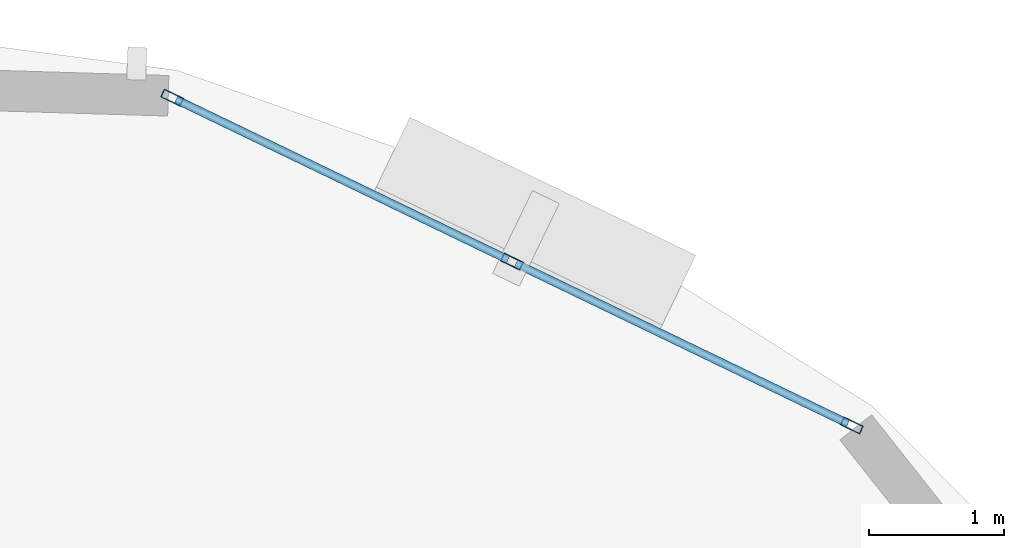
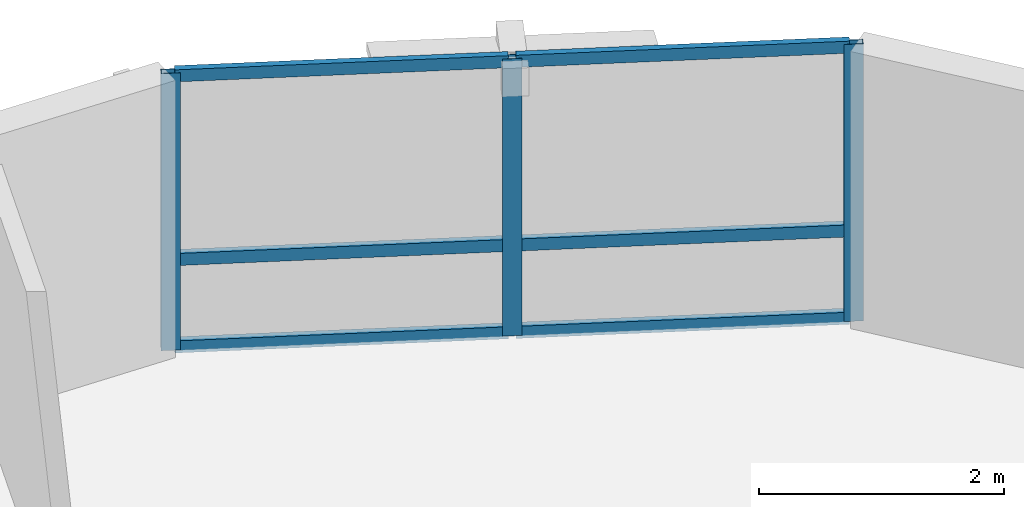
# One storey, part 5 of 11: 9 members, 1 element without a shape of its own.
"""IFC4 building model written with IfcOpenShell, lengths in metres."""

from ifc_helpers import new_model, si_unit, direction, frame, origin, origin_2d, place, context, subcontext, project, spatial, hollow_rectangle, extrude, material, layer, layer_set, material_profile, profile_set, type_object, element, aggregate, save


model = new_model("IFC4")

# Units and contexts
model_context = context("Model", 3, precision=1e-05, world=origin(), true_north=direction((0.0, 1.0)))
body_context = subcontext(model_context, "Body", "Model", "MODEL_VIEW")
ifc_project = project(units=[si_unit("LENGTHUNIT", "METRE"), si_unit("AREAUNIT", "SQUARE_METRE"), si_unit("VOLUMEUNIT", "CUBIC_METRE"), si_unit("PLANEANGLEUNIT", "RADIAN"), si_unit("MASSUNIT", "GRAM", prefix="KILO"), si_unit("THERMODYNAMICTEMPERATUREUNIT", "KELVIN"), si_unit("POWERUNIT", "WATT")], contexts=[model_context])

# Site, building, storey
site_placement = place(None, origin())
site = spatial("IfcSite", under=ifc_project, at=site_placement, CompositionType="ELEMENT")
building_placement = place(site_placement, origin())
building = spatial("IfcBuilding", under=site, at=building_placement, Name="Ocrelia Relay Tower", CompositionType="ELEMENT")
storey_placement = place(building_placement, frame((0.0, 0.0, 244.800048828125)))
storey = spatial("IfcBuildingStorey", under=building, at=storey_placement, Name="L60", CompositionType="ELEMENT", Elevation=244.800048828125)

# Curtain wall, members
ifc_material_1 = material(Name="Aluminium and solar-control low-E glass", Category="aluminium")
ifc_layer = layer(ifc_material_1, 0.179931640625, Name="Aluminium and solar-control low-E glass")
ifc_layer_set = layer_set([ifc_layer], Name="Aluminium and solar-control low-E glass")
curtain_wall_type = type_object("IfcCurtainWallType", Name="CW-SYS-Z4-EXEC", PredefinedType="NOTDEFINED", material=ifc_layer_set)
curtain_wall_placement = place(storey_placement, origin())
curtain_wall = element("IfcCurtainWall", 1, at=curtain_wall_placement, inside=storey, type_object=curtain_wall_type, Name="L60 Elliptical Tower Curtain Wall Bay 01", PredefinedType="NOTDEFINED")
ifc_material_2 = material(Name="Anodised bronze aluminium", Category="aluminium")
ifc_material_profile_1 = material_profile(ifc_material_2, hollow_rectangle(XDim=0.06494140625, YDim=0.159912109375, WallThickness=0.0048828125, at=origin_2d()), Name="CW-MUL-160x65")
ifc_profile_set_1 = profile_set([ifc_material_profile_1], Name="Anodised bronze aluminium")
member_type_1 = type_object("IfcMemberType", Name="CW-SYS-Z4-EXEC-MUL", PredefinedType="MULLION", material=ifc_profile_set_1)
member_1_placement = place(storey_placement, frame((47.100830078125, 42.403076171875, 0.0), z_axis=(0.0, 0.0, 1.0), x_axis=(-0.434418421029, -0.90071118316, 0.0)))
member_1 = element("IfcMember", 2, at=member_1_placement, type_object=member_type_1, Name="CW-Z4 mullion 1", PredefinedType="MULLION", context=body_context, shape_type="SweptSolid", body=[
    extrude(hollow_rectangle(XDim=0.06494140625, YDim=0.159912109375, WallThickness=0.0048828125, at=origin_2d()), origin(), (0.0, 0.0, 1.0), 2.760009765625),
])
member_2_placement = place(storey_placement, frame((44.58544921875, 43.6162109375, 0.0), z_axis=(0.0, 0.0, 1.0), x_axis=(-0.434418421029, -0.90071118316, 0.0)))
member_2 = element("IfcMember", 3, at=member_2_placement, type_object=member_type_1, Name="CW-Z4 mullion 2", PredefinedType="MULLION", context=body_context, shape_type="SweptSolid", body=[
    extrude(hollow_rectangle(XDim=0.06494140625, YDim=0.159912109375, WallThickness=0.0048828125, at=origin_2d()), origin(), (0.0, 0.0, 1.0), 2.760009765625),
])
member_3_placement = place(storey_placement, frame((42.070068359375, 44.82958984375, 0.0), z_axis=(0.0, 0.0, 1.0), x_axis=(-0.434418421029, -0.90071118316, 0.0)))
member_3 = element("IfcMember", 4, at=member_3_placement, type_object=member_type_1, Name="CW-Z4 mullion 3", PredefinedType="MULLION", context=body_context, shape_type="SweptSolid", body=[
    extrude(hollow_rectangle(XDim=0.06494140625, YDim=0.159912109375, WallThickness=0.0048828125, at=origin_2d()), origin(), (0.0, 0.0, 1.0), 2.760009765625),
])
ifc_material_profile_2 = material_profile(ifc_material_2, hollow_rectangle(XDim=0.06005859375, YDim=0.1201171875, WallThickness=0.0048828125, at=origin_2d()), Name="CW-TRN-120x60")
ifc_profile_set_2 = profile_set([ifc_material_profile_2], Name="Anodised bronze aluminium")
member_type_2 = type_object("IfcMemberType", Name="CW-SYS-Z4-EXEC-TRN", PredefinedType="USERDEFINED", material=ifc_profile_set_2)
member_4_placement = place(storey_placement, frame((47.071533203125, 42.417236328125, 0.030029296875), z_axis=(-0.900691759852, 0.434458690482, 0.0), x_axis=(-0.434458690482, -0.900691759852, 0.0)))
member_4 = element("IfcMember", 5, at=member_4_placement, type_object=member_type_2, Name="CW-Z4 transom 1.1", ObjectType="TRANSOM", PredefinedType="USERDEFINED", context=body_context, shape_type="SweptSolid", body=[
    extrude(hollow_rectangle(XDim=0.06005859375, YDim=0.1201171875, WallThickness=0.0048828125, at=origin_2d()), origin(), (0.0, 0.0, 1.0), 2.727783203125),
])
member_5_placement = place(storey_placement, frame((47.071533203125, 42.417236328125, 0.89990234375), z_axis=(-0.900691759852, 0.434458690482, 0.0), x_axis=(-0.434458690482, -0.900691759852, 0.0)))
member_5 = element("IfcMember", 6, at=member_5_placement, type_object=member_type_2, Name="CW-Z4 transom 1.2", ObjectType="TRANSOM", PredefinedType="USERDEFINED", context=body_context, shape_type="SweptSolid", body=[
    extrude(hollow_rectangle(XDim=0.06005859375, YDim=0.1201171875, WallThickness=0.0048828125, at=origin_2d()), origin(), (0.0, 0.0, 1.0), 2.727783203125),
])
member_6_placement = place(storey_placement, frame((47.071533203125, 42.417236328125, 2.72998046875), z_axis=(-0.900691759852, 0.434458690482, 0.0), x_axis=(-0.434458690482, -0.900691759852, 0.0)))
member_6 = element("IfcMember", 7, at=member_6_placement, type_object=member_type_2, Name="CW-Z4 transom 1.3", ObjectType="TRANSOM", PredefinedType="USERDEFINED", context=body_context, shape_type="SweptSolid", body=[
    extrude(hollow_rectangle(XDim=0.06005859375, YDim=0.1201171875, WallThickness=0.0048828125, at=origin_2d()), origin(), (0.0, 0.0, 1.0), 2.727783203125),
])
member_7_placement = place(storey_placement, frame((44.55615234375, 43.63037109375, 0.030029296875), z_axis=(-0.900691759852, 0.434458690482, 0.0), x_axis=(-0.434458690482, -0.900691759852, 0.0)))
member_7 = element("IfcMember", 8, at=member_7_placement, type_object=member_type_2, Name="CW-Z4 transom 2.1", ObjectType="TRANSOM", PredefinedType="USERDEFINED", context=body_context, shape_type="SweptSolid", body=[
    extrude(hollow_rectangle(XDim=0.06005859375, YDim=0.1201171875, WallThickness=0.0048828125, at=origin_2d()), origin(), (0.0, 0.0, 1.0), 2.727783203125),
])
member_8_placement = place(storey_placement, frame((44.55615234375, 43.63037109375, 0.89990234375), z_axis=(-0.900691759852, 0.434458690482, 0.0), x_axis=(-0.434458690482, -0.900691759852, 0.0)))
member_8 = element("IfcMember", 9, at=member_8_placement, type_object=member_type_2, Name="CW-Z4 transom 2.2", ObjectType="TRANSOM", PredefinedType="USERDEFINED", context=body_context, shape_type="SweptSolid", body=[
    extrude(hollow_rectangle(XDim=0.06005859375, YDim=0.1201171875, WallThickness=0.0048828125, at=origin_2d()), origin(), (0.0, 0.0, 1.0), 2.727783203125),
])
member_9_placement = place(storey_placement, frame((44.55615234375, 43.63037109375, 2.72998046875), z_axis=(-0.900691759852, 0.434458690482, 0.0), x_axis=(-0.434458690482, -0.900691759852, 0.0)))
member_9 = element("IfcMember", 10, at=member_9_placement, type_object=member_type_2, Name="CW-Z4 transom 2.3", ObjectType="TRANSOM", PredefinedType="USERDEFINED", context=body_context, shape_type="SweptSolid", body=[
    extrude(hollow_rectangle(XDim=0.06005859375, YDim=0.1201171875, WallThickness=0.0048828125, at=origin_2d()), origin(), (0.0, 0.0, 1.0), 2.727783203125),
])
aggregate(curtain_wall, [member_1, member_2, member_3, member_4, member_5, member_6, member_7, member_8, member_9])

save(model, "model.ifc")
